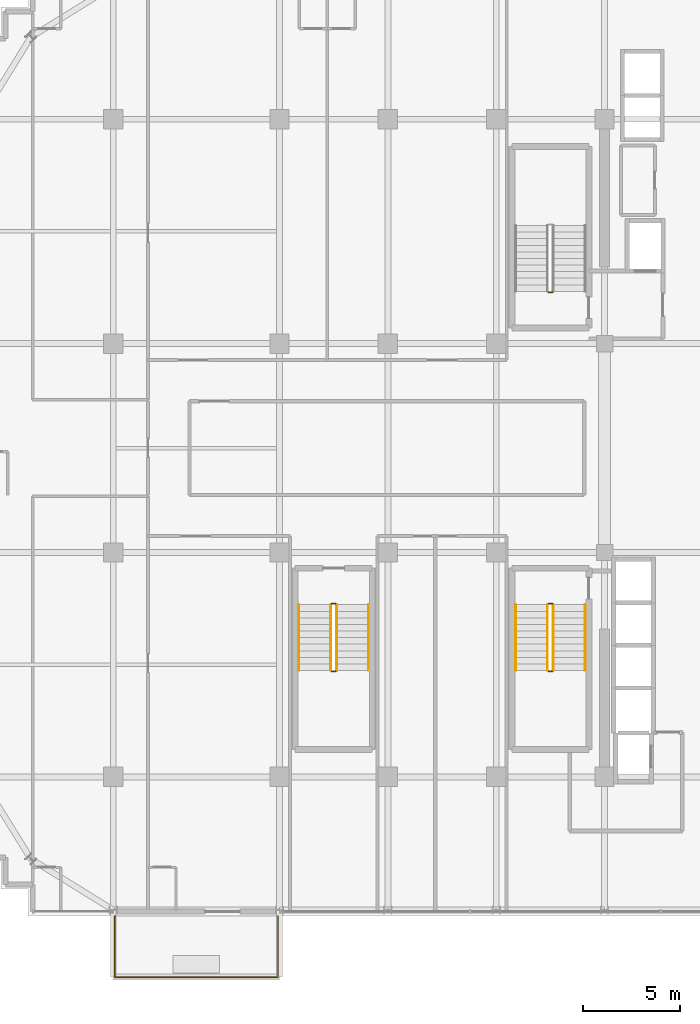
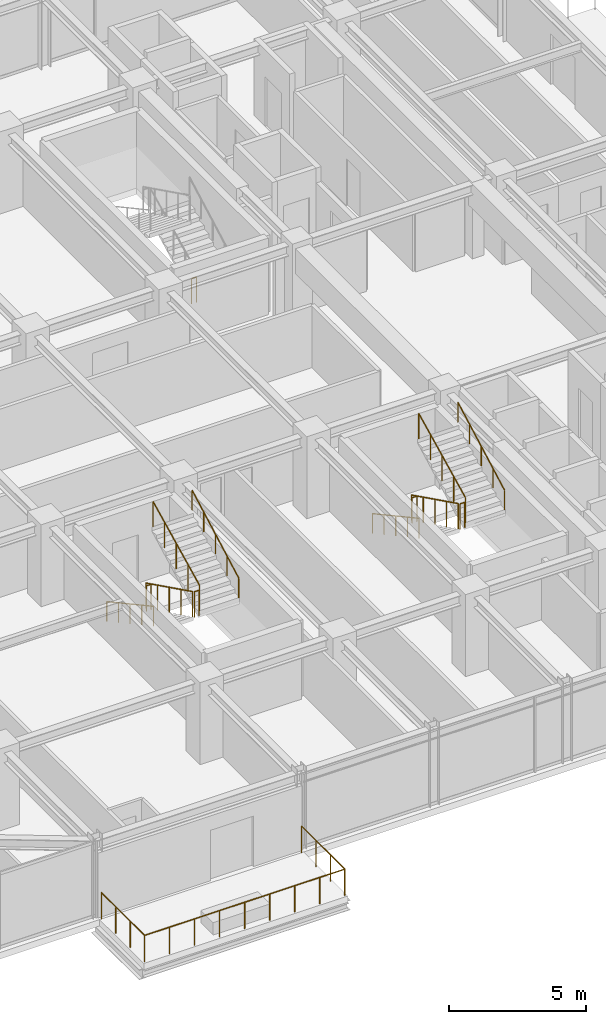
# One storey, part 32 of 34: 14 railings.
"""IFC4 building model written with IfcOpenShell, lengths in metres."""

from ifc_helpers import new_model, si_unit, direction, frame, origin, origin_2d, place, context, subcontext, project, spatial, circle, extrude, material, type_object, element, save


model = new_model("IFC4")

# Units and contexts
model_context = context("Model", 3, precision=1e-05, world=origin(), true_north=direction((0.0, 1.0)))
body_context = subcontext(model_context, "Body", "Model", "MODEL_VIEW")
ifc_project = project(units=[si_unit("LENGTHUNIT", "METRE"), si_unit("AREAUNIT", "SQUARE_METRE"), si_unit("VOLUMEUNIT", "CUBIC_METRE"), si_unit("PLANEANGLEUNIT", "RADIAN"), si_unit("MASSUNIT", "GRAM", prefix="KILO")], contexts=[model_context])

# Site, building, storey
site_placement = place(None, origin())
site = spatial("IfcSite", under=ifc_project, at=site_placement, CompositionType="ELEMENT")
building_placement = place(site_placement, origin())
building = spatial("IfcBuilding", under=site, at=building_placement, Name="Nahalor Promenade Grand Hotel", CompositionType="ELEMENT")
storey_placement = place(building_placement, frame((0.0, 0.0, 238.199951171875)))
storey = spatial("IfcBuildingStorey", under=building, at=storey_placement, Name="L61", CompositionType="ELEMENT", Elevation=238.199951171875)

# Railings
ifc_material_1 = material(Name="Anodised Bronze Aluminium EN AW-6063 T6", Category="aluminium")
railing_type_1 = type_object("IfcRailingType", Name="Bronze Balcony Guardrail 1200 mm", PredefinedType="GUARDRAIL", material=ifc_material_1)
railing_1_placement = place(storey_placement, frame((-16.919921875, -24.199951171875, 0.0)))
element("IfcRailing", 1, at=railing_1_placement, inside=storey, type_object=railing_type_1, Name="L61 Balcony Guardrail 1", PredefinedType="GUARDRAIL", context=body_context, shape_type="SweptSolid", body=[
    extrude(circle(Radius=0.024048, at=origin_2d()), frame((0.0, 0.0, 1.17578125), z_axis=(0.0, -1.0, 0.0), x_axis=(1.0, 0.0, 0.0)), (0.0, 0.0, 1.0), 3.148193359375),
    extrude(circle(Radius=0.024048, at=origin_2d()), frame((0.001953125, -3.150146484375, 1.17578125), z_axis=(1.0, 0.0, 0.0), x_axis=(0.0, 1.0, 0.0)), (0.0, 0.0, 1.0), 8.43603515625),
    extrude(circle(Radius=0.024048, at=origin_2d()), frame((8.43994140625, -3.148193359375, 1.17578125), z_axis=(0.0, 1.0, 0.0), x_axis=(-1.0, 0.0, 0.0)), (0.0, 0.0, 1.0), 3.148193359375),
    extrude(circle(Radius=0.020996, at=origin_2d()), origin(), (0.0, 0.0, 1.0), 1.14990234375),
    extrude(circle(Radius=0.020996, at=origin_2d()), frame((0.0, -1.050048828125, 0.0)), (0.0, 0.0, 1.0), 1.14990234375),
    extrude(circle(Radius=0.020996, at=origin_2d()), frame((0.0, -2.10009765625, 0.0)), (0.0, 0.0, 1.0), 1.14990234375),
    extrude(circle(Radius=0.020996, at=origin_2d()), frame((0.0, -3.150146484375, 0.0)), (0.0, 0.0, 1.0), 1.14990234375),
    extrude(circle(Radius=0.020996, at=origin_2d()), frame((1.054931640625, -3.150146484375, 0.0)), (0.0, 0.0, 1.0), 1.14990234375),
    extrude(circle(Radius=0.020996, at=origin_2d()), frame((2.10986328125, -3.150146484375, 0.0)), (0.0, 0.0, 1.0), 1.14990234375),
    extrude(circle(Radius=0.020996, at=origin_2d()), frame((3.1650390625, -3.150146484375, 0.0)), (0.0, 0.0, 1.0), 1.14990234375),
    extrude(circle(Radius=0.020996, at=origin_2d()), frame((4.219970703125, -3.150146484375, 0.0)), (0.0, 0.0, 1.0), 1.14990234375),
    extrude(circle(Radius=0.020996, at=origin_2d()), frame((5.27490234375, -3.150146484375, 0.0)), (0.0, 0.0, 1.0), 1.14990234375),
    extrude(circle(Radius=0.020996, at=origin_2d()), frame((6.330078125, -3.150146484375, 0.0)), (0.0, 0.0, 1.0), 1.14990234375),
    extrude(circle(Radius=0.020996, at=origin_2d()), frame((7.385009765625, -3.150146484375, 0.0)), (0.0, 0.0, 1.0), 1.14990234375),
    extrude(circle(Radius=0.020996, at=origin_2d()), frame((8.43994140625, -3.150146484375, 0.0)), (0.0, 0.0, 1.0), 1.14990234375),
    extrude(circle(Radius=0.020996, at=origin_2d()), frame((8.43994140625, -2.10009765625, 0.0)), (0.0, 0.0, 1.0), 1.14990234375),
    extrude(circle(Radius=0.020996, at=origin_2d()), frame((8.43994140625, -1.050048828125, 0.0)), (0.0, 0.0, 1.0), 1.14990234375),
    extrude(circle(Radius=0.020996, at=origin_2d()), frame((8.43994140625, 0.0, 0.0)), (0.0, 0.0, 1.0), 1.14990234375),
])
ifc_material_2 = material(Name="Steel S355JR", Category="steel")
railing_type_2 = type_object("IfcRailingType", Name="Steel Stair Guardrail 1150 mm", PredefinedType="GUARDRAIL", material=ifc_material_2)
railing_2_placement = place(storey_placement, frame((5.699951171875, 8.050048828125, 0.0)))
element("IfcRailing", 2, at=railing_2_placement, inside=storey, type_object=railing_type_2, Name="L61 ST1 stair guard 4", PredefinedType="GUARDRAIL", context=body_context, shape_type="SweptSolid", body=[
    extrude(circle(Radius=0.024048, at=origin_2d()), frame((0.0, 0.0, 1.1259765625), z_axis=(-1.0, 0.0, 0.0), x_axis=(0.0, -1.0, 0.0)), (0.0, 0.0, 1.0), 0.199951171875),
    extrude(circle(Radius=0.020996, at=origin_2d()), origin(), (0.0, 0.0, 1.0), 1.099853515625),
    extrude(circle(Radius=0.020996, at=origin_2d()), frame((-0.199951171875, 0.0, 0.0)), (0.0, 0.0, 1.0), 1.099853515625),
])
railing_3_placement = place(storey_placement, frame((5.449951171875, -8.10009765625, 0.168212890625)))
element("IfcRailing", 3, at=railing_3_placement, inside=storey, type_object=railing_type_2, Name="L61 ST2 stair guard 1", PredefinedType="GUARDRAIL", context=body_context, shape_type="SweptSolid", body=[
    extrude(circle(Radius=0.024048, at=origin_2d()), frame((0.0, 0.0, 1.1259765625), z_axis=(0.0, -0.896324230515, 0.443399226197), x_axis=(1.0, 0.0, 0.0)), (0.0, 0.0, 1.0), 3.793212890625),
    extrude(circle(Radius=0.020996, at=origin_2d()), origin(), (0.0, 0.0, 1.0), 1.099853515625),
    extrude(circle(Radius=0.020996, at=origin_2d()), frame((0.0, -0.85009765625, 0.42041015625)), (0.0, 0.0, 1.0), 1.099853515625),
    extrude(circle(Radius=0.020996, at=origin_2d()), frame((0.0, -1.699951171875, 0.8408203125)), (0.0, 0.0, 1.0), 1.099853515625),
    extrude(circle(Radius=0.020996, at=origin_2d()), frame((0.0, -2.5498046875, 1.261474609375)), (0.0, 0.0, 1.0), 1.099853515625),
    extrude(circle(Radius=0.020996, at=origin_2d()), frame((0.0, -3.39990234375, 1.681884765625)), (0.0, 0.0, 1.0), 1.099853515625),
])
railing_4_placement = place(storey_placement, frame((5.5, -11.550048828125, 1.85009765625)))
element("IfcRailing", 4, at=railing_4_placement, inside=storey, type_object=railing_type_2, Name="L61 ST2 stair guard 2", PredefinedType="GUARDRAIL", context=body_context, shape_type="SweptSolid", body=[
    extrude(circle(Radius=0.024048, at=origin_2d()), frame((0.0, 0.0, 1.1259765625), z_axis=(1.0, 0.0, 0.0), x_axis=(0.0, 1.0, 0.0)), (0.0, 0.0, 1.0), 0.199951171875),
    extrude(circle(Radius=0.020996, at=origin_2d()), origin(), (0.0, 0.0, 1.0), 1.099853515625),
    extrude(circle(Radius=0.020996, at=origin_2d()), frame((0.199951171875, 0.0, 0.0)), (0.0, 0.0, 1.0), 1.099853515625),
])
railing_5_placement = place(storey_placement, frame((5.75, -11.5, 2.018310546875)))
element("IfcRailing", 5, at=railing_5_placement, inside=storey, type_object=railing_type_2, Name="L61 ST2 stair guard 3", PredefinedType="GUARDRAIL", context=body_context, shape_type="SweptSolid", body=[
    extrude(circle(Radius=0.024048, at=origin_2d()), frame((0.0, 0.0, 1.1259765625), z_axis=(0.0, 0.896349809652, 0.44334751464), x_axis=(-1.0, 0.0, 0.0)), (0.0, 0.0, 1.0), 3.79296875),
    extrude(circle(Radius=0.020996, at=origin_2d()), origin(), (0.0, 0.0, 1.0), 1.099853515625),
    extrude(circle(Radius=0.020996, at=origin_2d()), frame((0.0, 0.85009765625, 0.42041015625)), (0.0, 0.0, 1.0), 1.099853515625),
    extrude(circle(Radius=0.020996, at=origin_2d()), frame((0.0, 1.699951171875, 0.8408203125)), (0.0, 0.0, 1.0), 1.099853515625),
    extrude(circle(Radius=0.020996, at=origin_2d()), frame((0.0, 2.5498046875, 1.26123046875)), (0.0, 0.0, 1.0), 1.099853515625),
    extrude(circle(Radius=0.020996, at=origin_2d()), frame((0.0, 3.39990234375, 1.681640625)), (0.0, 0.0, 1.0), 1.099853515625),
])
railing_6_placement = place(storey_placement, frame((5.5, -8.050048828125, 0.0)))
element("IfcRailing", 6, at=railing_6_placement, inside=storey, type_object=railing_type_2, Name="L61 ST2 stair guard 4", PredefinedType="GUARDRAIL", context=body_context, shape_type="SweptSolid", body=[
    extrude(circle(Radius=0.024048, at=origin_2d()), frame((0.0, 0.0, 1.1259765625), z_axis=(1.0, 0.0, 0.0), x_axis=(0.0, 1.0, 0.0)), (0.0, 0.0, 1.0), 0.199951171875),
    extrude(circle(Radius=0.020996, at=origin_2d()), origin(), (0.0, 0.0, 1.0), 1.099853515625),
    extrude(circle(Radius=0.020996, at=origin_2d()), frame((0.199951171875, 0.0, 0.0)), (0.0, 0.0, 1.0), 1.099853515625),
])
railing_7_placement = place(storey_placement, frame((-5.75, -8.10009765625, 0.168212890625)))
element("IfcRailing", 7, at=railing_7_placement, inside=storey, type_object=railing_type_2, Name="L61 ST3 stair guard 1", PredefinedType="GUARDRAIL", context=body_context, shape_type="SweptSolid", body=[
    extrude(circle(Radius=0.024048, at=origin_2d()), frame((0.0, 0.0, 1.1259765625), z_axis=(0.0, -0.896324230515, 0.443399226197), x_axis=(1.0, 0.0, 0.0)), (0.0, 0.0, 1.0), 3.793212890625),
    extrude(circle(Radius=0.020996, at=origin_2d()), origin(), (0.0, 0.0, 1.0), 1.099853515625),
    extrude(circle(Radius=0.020996, at=origin_2d()), frame((0.0, -0.85009765625, 0.42041015625)), (0.0, 0.0, 1.0), 1.099853515625),
    extrude(circle(Radius=0.020996, at=origin_2d()), frame((0.0, -1.699951171875, 0.8408203125)), (0.0, 0.0, 1.0), 1.099853515625),
    extrude(circle(Radius=0.020996, at=origin_2d()), frame((0.0, -2.5498046875, 1.261474609375)), (0.0, 0.0, 1.0), 1.099853515625),
    extrude(circle(Radius=0.020996, at=origin_2d()), frame((0.0, -3.39990234375, 1.681884765625)), (0.0, 0.0, 1.0), 1.099853515625),
])
railing_8_placement = place(storey_placement, frame((-5.699951171875, -11.550048828125, 1.85009765625)))
element("IfcRailing", 8, at=railing_8_placement, inside=storey, type_object=railing_type_2, Name="L61 ST3 stair guard 2", PredefinedType="GUARDRAIL", context=body_context, shape_type="SweptSolid", body=[
    extrude(circle(Radius=0.024048, at=origin_2d()), frame((0.0, 0.0, 1.1259765625), z_axis=(1.0, 0.0, 0.0), x_axis=(0.0, 1.0, 0.0)), (0.0, 0.0, 1.0), 0.199951171875),
    extrude(circle(Radius=0.020996, at=origin_2d()), origin(), (0.0, 0.0, 1.0), 1.099853515625),
    extrude(circle(Radius=0.020996, at=origin_2d()), frame((0.199951171875, 0.0, 0.0)), (0.0, 0.0, 1.0), 1.099853515625),
])
railing_9_placement = place(storey_placement, frame((-5.449951171875, -11.5, 2.018310546875)))
element("IfcRailing", 9, at=railing_9_placement, inside=storey, type_object=railing_type_2, Name="L61 ST3 stair guard 3", PredefinedType="GUARDRAIL", context=body_context, shape_type="SweptSolid", body=[
    extrude(circle(Radius=0.024048, at=origin_2d()), frame((0.0, 0.0, 1.1259765625), z_axis=(0.0, 0.896349809652, 0.44334751464), x_axis=(-1.0, 0.0, 0.0)), (0.0, 0.0, 1.0), 3.79296875),
    extrude(circle(Radius=0.020996, at=origin_2d()), origin(), (0.0, 0.0, 1.0), 1.099853515625),
    extrude(circle(Radius=0.020996, at=origin_2d()), frame((0.0, 0.85009765625, 0.42041015625)), (0.0, 0.0, 1.0), 1.099853515625),
    extrude(circle(Radius=0.020996, at=origin_2d()), frame((0.0, 1.699951171875, 0.8408203125)), (0.0, 0.0, 1.0), 1.099853515625),
    extrude(circle(Radius=0.020996, at=origin_2d()), frame((0.0, 2.5498046875, 1.26123046875)), (0.0, 0.0, 1.0), 1.099853515625),
    extrude(circle(Radius=0.020996, at=origin_2d()), frame((0.0, 3.39990234375, 1.681640625)), (0.0, 0.0, 1.0), 1.099853515625),
])
railing_10_placement = place(storey_placement, frame((-5.699951171875, -8.050048828125, 0.0)))
element("IfcRailing", 10, at=railing_10_placement, inside=storey, type_object=railing_type_2, Name="L61 ST3 stair guard 4", PredefinedType="GUARDRAIL", context=body_context, shape_type="SweptSolid", body=[
    extrude(circle(Radius=0.024048, at=origin_2d()), frame((0.0, 0.0, 1.1259765625), z_axis=(1.0, 0.0, 0.0), x_axis=(0.0, 1.0, 0.0)), (0.0, 0.0, 1.0), 0.199951171875),
    extrude(circle(Radius=0.020996, at=origin_2d()), origin(), (0.0, 0.0, 1.0), 1.099853515625),
    extrude(circle(Radius=0.020996, at=origin_2d()), frame((0.199951171875, 0.0, 0.0)), (0.0, 0.0, 1.0), 1.099853515625),
])
railing_type_3 = type_object("IfcRailingType", Name="Steel Stair Handrail 900 mm", PredefinedType="HANDRAIL", material=ifc_material_2)
railing_11_placement = place(storey_placement, frame((3.800048828125, -8.10009765625, 0.168212890625)))
element("IfcRailing", 11, at=railing_11_placement, inside=storey, type_object=railing_type_3, Name="L61 ST2 stair handrail 1", PredefinedType="HANDRAIL", context=body_context, shape_type="SweptSolid", body=[
    extrude(circle(Radius=0.024048, at=origin_2d()), frame((0.0, 0.0, 0.8759765625), z_axis=(0.0, -0.87837241229, 0.47797688786), x_axis=(1.0, 0.0, 0.0)), (0.0, 0.0, 1.0), 3.87060546875),
    extrude(circle(Radius=0.020996, at=origin_2d()), origin(), (0.0, 0.0, 1.0), 0.849853515625),
    extrude(circle(Radius=0.020996, at=origin_2d()), frame((0.0, -0.85009765625, 0.46240234375)), (0.0, 0.0, 1.0), 0.849853515625),
    extrude(circle(Radius=0.020996, at=origin_2d()), frame((0.0, -1.699951171875, 0.925048828125)), (0.0, 0.0, 1.0), 0.849853515625),
    extrude(circle(Radius=0.020996, at=origin_2d()), frame((0.0, -2.5498046875, 1.3876953125)), (0.0, 0.0, 1.0), 0.849853515625),
    extrude(circle(Radius=0.020996, at=origin_2d()), frame((0.0, -3.39990234375, 1.85009765625)), (0.0, 0.0, 1.0), 0.849853515625),
])
railing_12_placement = place(storey_placement, frame((7.39990234375, -11.5, 2.018310546875)))
element("IfcRailing", 12, at=railing_12_placement, inside=storey, type_object=railing_type_3, Name="L61 ST2 stair handrail 2", PredefinedType="HANDRAIL", context=body_context, shape_type="SweptSolid", body=[
    extrude(circle(Radius=0.024048, at=origin_2d()), frame((0.0, 0.0, 0.8759765625), z_axis=(0.0, 0.878398892953, 0.47792822145), x_axis=(-1.0, 0.0, 0.0)), (0.0, 0.0, 1.0), 3.87060546875),
    extrude(circle(Radius=0.020996, at=origin_2d()), origin(), (0.0, 0.0, 1.0), 0.849853515625),
    extrude(circle(Radius=0.020996, at=origin_2d()), frame((0.0, 0.85009765625, 0.46240234375)), (0.0, 0.0, 1.0), 0.849853515625),
    extrude(circle(Radius=0.020996, at=origin_2d()), frame((0.0, 1.699951171875, 0.9248046875)), (0.0, 0.0, 1.0), 0.849853515625),
    extrude(circle(Radius=0.020996, at=origin_2d()), frame((0.0, 2.5498046875, 1.387451171875)), (0.0, 0.0, 1.0), 0.849853515625),
    extrude(circle(Radius=0.020996, at=origin_2d()), frame((0.0, 3.39990234375, 1.849853515625)), (0.0, 0.0, 1.0), 0.849853515625),
])
railing_13_placement = place(storey_placement, frame((-7.39990234375, -8.10009765625, 0.168212890625)))
element("IfcRailing", 13, at=railing_13_placement, inside=storey, type_object=railing_type_3, Name="L61 ST3 stair handrail 1", PredefinedType="HANDRAIL", context=body_context, shape_type="SweptSolid", body=[
    extrude(circle(Radius=0.024048, at=origin_2d()), frame((0.0, 0.0, 0.8759765625), z_axis=(0.0, -0.87837241229, 0.47797688786), x_axis=(1.0, 0.0, 0.0)), (0.0, 0.0, 1.0), 3.87060546875),
    extrude(circle(Radius=0.020996, at=origin_2d()), origin(), (0.0, 0.0, 1.0), 0.849853515625),
    extrude(circle(Radius=0.020996, at=origin_2d()), frame((0.0, -0.85009765625, 0.46240234375)), (0.0, 0.0, 1.0), 0.849853515625),
    extrude(circle(Radius=0.020996, at=origin_2d()), frame((0.0, -1.699951171875, 0.925048828125)), (0.0, 0.0, 1.0), 0.849853515625),
    extrude(circle(Radius=0.020996, at=origin_2d()), frame((0.0, -2.5498046875, 1.3876953125)), (0.0, 0.0, 1.0), 0.849853515625),
    extrude(circle(Radius=0.020996, at=origin_2d()), frame((0.0, -3.39990234375, 1.85009765625)), (0.0, 0.0, 1.0), 0.849853515625),
])
railing_14_placement = place(storey_placement, frame((-3.800048828125, -11.5, 2.018310546875)))
element("IfcRailing", 14, at=railing_14_placement, inside=storey, type_object=railing_type_3, Name="L61 ST3 stair handrail 2", PredefinedType="HANDRAIL", context=body_context, shape_type="SweptSolid", body=[
    extrude(circle(Radius=0.024048, at=origin_2d()), frame((0.0, 0.0, 0.8759765625), z_axis=(0.0, 0.878398892953, 0.47792822145), x_axis=(-1.0, 0.0, 0.0)), (0.0, 0.0, 1.0), 3.87060546875),
    extrude(circle(Radius=0.020996, at=origin_2d()), origin(), (0.0, 0.0, 1.0), 0.849853515625),
    extrude(circle(Radius=0.020996, at=origin_2d()), frame((0.0, 0.85009765625, 0.46240234375)), (0.0, 0.0, 1.0), 0.849853515625),
    extrude(circle(Radius=0.020996, at=origin_2d()), frame((0.0, 1.699951171875, 0.9248046875)), (0.0, 0.0, 1.0), 0.849853515625),
    extrude(circle(Radius=0.020996, at=origin_2d()), frame((0.0, 2.5498046875, 1.387451171875)), (0.0, 0.0, 1.0), 0.849853515625),
    extrude(circle(Radius=0.020996, at=origin_2d()), frame((0.0, 3.39990234375, 1.849853515625)), (0.0, 0.0, 1.0), 0.849853515625),
])

save(model, "model.ifc")
